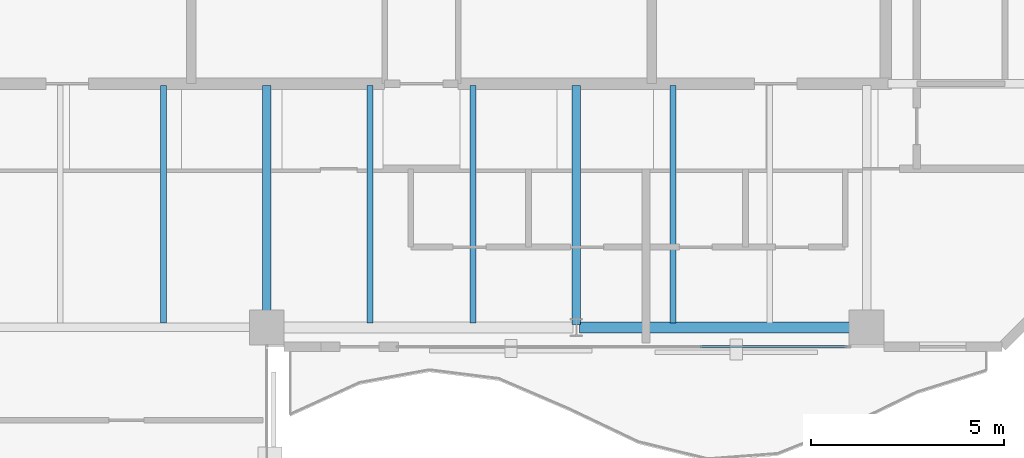
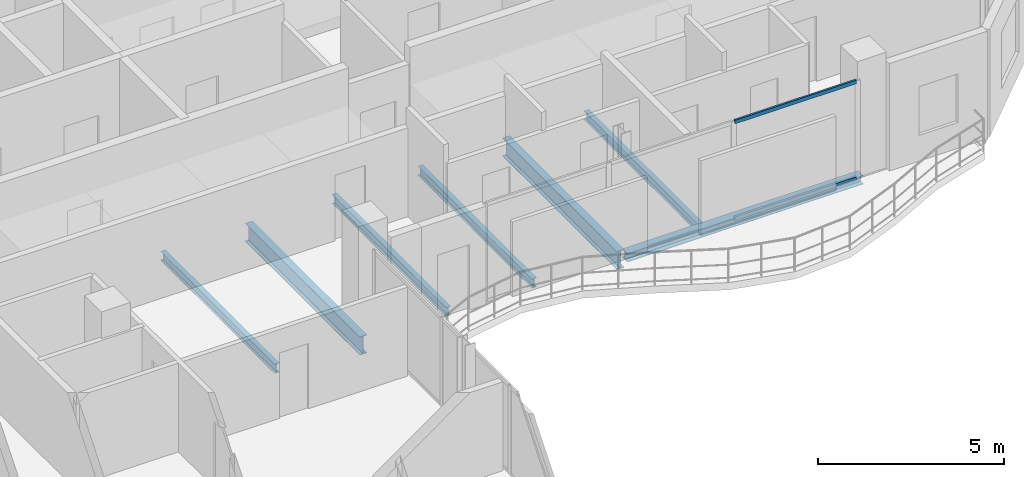
# One storey, part 13 of 22: 7 beams, 2 members, 1 element without a shape of its own.
"""IFC4 building model written with IfcOpenShell, lengths in metres."""

from ifc_helpers import new_model, si_unit, direction, frame, origin, origin_2d, place, context, subcontext, project, spatial, hollow_rectangle, i_section, extrude, material, layer, layer_set, material_profile, profile_set, type_object, element, aggregate, save


model = new_model("IFC4")

# Units and contexts
model_context = context("Model", 3, precision=1e-05, world=origin(), true_north=direction((0.0, 1.0)))
body_context = subcontext(model_context, "Body", "Model", "MODEL_VIEW")
ifc_project = project(units=[si_unit("LENGTHUNIT", "METRE"), si_unit("AREAUNIT", "SQUARE_METRE"), si_unit("VOLUMEUNIT", "CUBIC_METRE"), si_unit("PLANEANGLEUNIT", "RADIAN"), si_unit("MASSUNIT", "GRAM", prefix="KILO")], contexts=[model_context])

# Site, building, storey
site_placement = place(None, origin())
site = spatial("IfcSite", under=ifc_project, at=site_placement, CompositionType="ELEMENT")
building_placement = place(site_placement, origin())
building = spatial("IfcBuilding", under=site, at=building_placement, Name="Catumbela Crestline Tower", CompositionType="ELEMENT")
storey_placement = place(building_placement, frame((0.0, 0.0, 218.4)))
storey = spatial("IfcBuildingStorey", under=building, at=storey_placement, Name="L56", CompositionType="ELEMENT", Elevation=218.4)

# Beams
ifc_material_1 = material(Name="Structural steel S355J2", Category="steel")
ifc_material_profile_1 = material_profile(ifc_material_1, i_section(OverallWidth=0.22, OverallDepth=0.6, WebThickness=0.012, FlangeThickness=0.019, FilletRadius=0.024, at=origin_2d()), Name="IPE 600")
ifc_profile_set_1 = profile_set([ifc_material_profile_1], Name="Structural steel S355J2")
beam_type_1 = type_object("IfcBeamType", Name="BG-IPE600", PredefinedType="BEAM", material=ifc_profile_set_1)
for number, where, z_axis, x_axis, name in (
    (1, (24.0, 24.58, -0.56), (0.0, 1.0, 0.0), (-1.0, 0.0, 0.0), "L56 Beam BM-L56-SNS16"),
    (2, (32.0, 24.58, -0.56), (0.0, 1.0, 0.0), (-1.0, 0.0, 0.0), "L56 Beam BM-L56-SNS17"),
):
    element("IfcBeam", number, at=place(storey_placement, frame(where, z_axis=z_axis, x_axis=x_axis)), inside=storey, type_object=beam_type_1, Name=name, PredefinedType="BEAM", context=body_context, shape_type="SweptSolid", body=[
        extrude(i_section(OverallWidth=0.22, OverallDepth=0.6, WebThickness=0.012, FlangeThickness=0.019, FilletRadius=0.024, at=origin_2d()), origin(), (0.0, 0.0, 1.0), 6.17),
    ])
ifc_material_profile_2 = material_profile(ifc_material_1, i_section(OverallWidth=0.15, OverallDepth=0.3, WebThickness=0.0071, FlangeThickness=0.0107, FilletRadius=0.015, at=origin_2d()), Name="IPE 300")
ifc_profile_set_2 = profile_set([ifc_material_profile_2], Name="Structural steel S355J2")
beam_type_2 = type_object("IfcBeamType", Name="BJ-IPE300", PredefinedType="JOIST", material=ifc_profile_set_2)
for number, where, z_axis, x_axis, name in (
    (3, (21.333, 24.61, -0.41), (0.0, 1.0, 0.0), (-1.0, 0.0, 0.0), "L56 Joist JS-L56-SP22"),
    (4, (26.667, 24.61, -0.41), (0.0, 1.0, 0.0), (-1.0, 0.0, 0.0), "L56 Joist JS-L56-SP23"),
    (5, (29.333, 24.61, -0.41), (0.0, 1.0, 0.0), (-1.0, 0.0, 0.0), "L56 Joist JS-L56-SP24"),
    (6, (34.5, 24.61, -0.41), (0.0, 1.0, 0.0), (-1.0, 0.0, 0.0), "L56 Joist JS-L56-SP25"),
):
    element("IfcBeam", number, at=place(storey_placement, frame(where, z_axis=z_axis, x_axis=x_axis)), inside=storey, type_object=beam_type_2, Name=name, PredefinedType="JOIST", context=body_context, shape_type="SweptSolid", body=[
        extrude(i_section(OverallWidth=0.15, OverallDepth=0.3, WebThickness=0.0071, FlangeThickness=0.0107, FilletRadius=0.015, at=origin_2d()), origin(), (0.0, 0.0, 1.0), 6.14),
    ])
ifc_material_profile_3 = material_profile(ifc_material_1, i_section(OverallWidth=0.28, OverallDepth=0.28, WebThickness=0.0105, FlangeThickness=0.018, FilletRadius=0.024, at=origin_2d()), Name="HEB 280")
ifc_profile_set_3 = profile_set([ifc_material_profile_3], Name="Structural steel S355J2")
beam_type_3 = type_object("IfcBeamType", Name="BS-HEB280", PredefinedType="SPANDREL", material=ifc_profile_set_3)
beam_placement = place(storey_placement, frame((32.08, 24.5, -0.4), z_axis=(1.0, 0.0, 0.0), x_axis=(0.0, 1.0, 0.0)))
element("IfcBeam", 7, at=beam_placement, inside=storey, type_object=beam_type_3, Name="L56 Spandrel SP-L56-S05", PredefinedType="SPANDREL", context=body_context, shape_type="SweptSolid", body=[
    extrude(i_section(OverallWidth=0.28, OverallDepth=0.28, WebThickness=0.0105, FlangeThickness=0.018, FilletRadius=0.024, at=origin_2d()), origin(), (0.0, 0.0, 1.0), 7.34),
])

# Curtain wall, members
ifc_material_2 = material(Name="Aluminium alloy AW-6060-T66", Category="aluminium")
ifc_layer = layer(ifc_material_2, 0.18, Name="Aluminium alloy AW-6060-T66")
ifc_layer_set = layer_set([ifc_layer], Name="Aluminium alloy AW-6060-T66")
curtain_wall_type = type_object("IfcCurtainWallType", Name="CWU-Z4", PredefinedType="USERDEFINED", material=ifc_layer_set)
curtain_wall_placement = place(storey_placement, origin())
curtain_wall = element("IfcCurtainWall", 8, at=curtain_wall_placement, inside=storey, type_object=curtain_wall_type, Name="L56 Unitised Curtain Wall CW-L56-E3S2", ObjectType="UNITISED", PredefinedType="USERDEFINED")
ifc_material_profile_4 = material_profile(ifc_material_2, hollow_rectangle(XDim=0.06, YDim=0.12, WallThickness=0.0035, at=origin_2d()), Name="ALU 120x60x3.5")
ifc_profile_set_4 = profile_set([ifc_material_profile_4], Name="Aluminium alloy AW-6060-T66")
member_type = type_object("IfcMemberType", Name="TRN-120X60", PredefinedType="USERDEFINED", material=ifc_profile_set_4)
member_1_placement = place(storey_placement, frame((35.1992, 24.0, 0.03), z_axis=(1.0, 0.0, 0.0), x_axis=(0.0, 1.0, 0.0)))
member_1 = element("IfcMember", 9, at=member_1_placement, type_object=member_type, Name="CWU-Z4 transom 3.1", ObjectType="TRANSOM", PredefinedType="USERDEFINED", context=body_context, shape_type="SweptSolid", body=[
    extrude(hollow_rectangle(XDim=0.06, YDim=0.12, WallThickness=0.0035, at=origin_2d()), origin(), (0.0, 0.0, 1.0), 3.7858),
])
member_2_placement = place(storey_placement, frame((35.1992, 24.0, 3.21), z_axis=(1.0, 0.0, 0.0), x_axis=(0.0, 1.0, 0.0)))
member_2 = element("IfcMember", 10, at=member_2_placement, type_object=member_type, Name="CWU-Z4 transom 3.2", ObjectType="TRANSOM", PredefinedType="USERDEFINED", context=body_context, shape_type="SweptSolid", body=[
    extrude(hollow_rectangle(XDim=0.06, YDim=0.12, WallThickness=0.0035, at=origin_2d()), origin(), (0.0, 0.0, 1.0), 3.7858),
])
aggregate(curtain_wall, [member_1, member_2])

save(model, "model.ifc")
